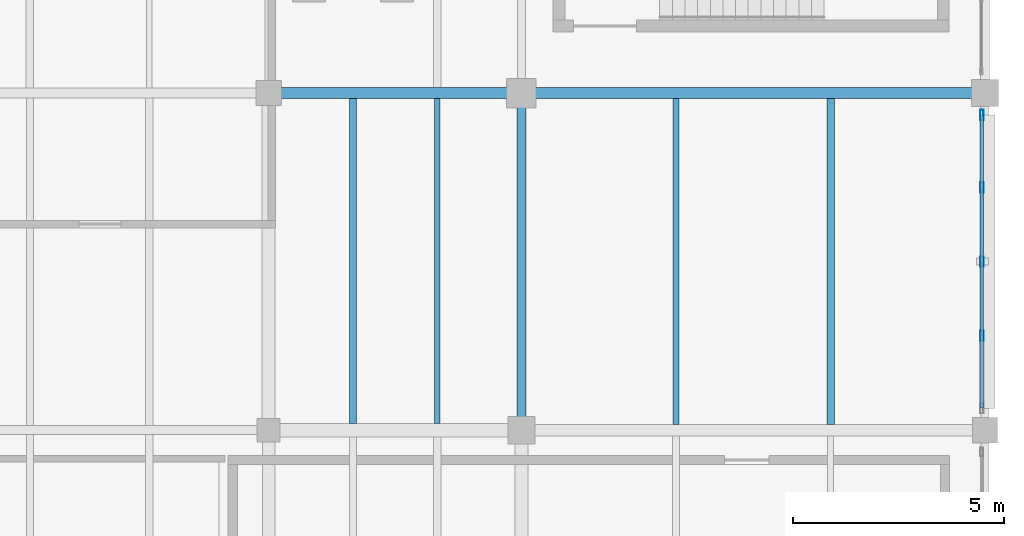
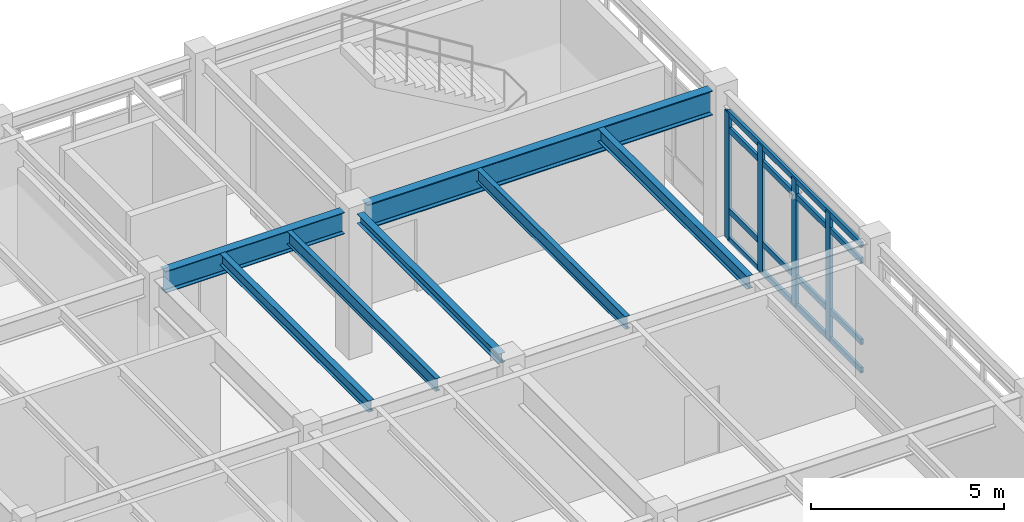
# One storey, part 149 of 200: 8 members, 7 beams, 1 element without a shape of its own.
"""IFC4 building model written with IfcOpenShell, lengths in metres."""

import ifcopenshell
import ifcopenshell.guid

model = None  # the IFC model being written
_history = None  # IfcOwnerHistory: only IFC2X3 demands one
_inside = {}  # id of a spatial element -> (the spatial element, [elements in it])
_under = {}  # id of a project, library or spatial element -> (it, [spatial elements below it])
_declared = {}  # id of a project -> (the project, [libraries it declares])
_typed = {}  # id of a type object -> (the type object, [elements of that type])
_made_of = {}  # id of a material, layer set ... -> (it, [elements and type objects made of it])


def new_model(schema):
    """Start an empty IFC model of exactly this schema.

    Asked for "IFC4X3", IfcOpenShell would pick the latest addendum, in which some entities
    have other attributes; the version numbers below select the first issue.
    IFC2X3 requires an IfcOwnerHistory on every rooted entity: one is made here for all.
    """
    global model, _history
    if schema == "IFC4X3":
        model = ifcopenshell.file(schema_version=(4, 3, 0, 0))
    else:
        model = ifcopenshell.file(schema=schema)
    _inside.clear()
    _under.clear()
    _declared.clear()
    _typed.clear()
    _made_of.clear()
    _history = None
    if model.schema == "IFC2X3":
        org = make("IfcOrganization", Name="unknown")
        user = make(
            "IfcPersonAndOrganization",
            ThePerson=make("IfcPerson", FamilyName="unknown"),
            TheOrganization=org,
        )
        app = make(
            "IfcApplication",
            ApplicationDeveloper=org,
            Version="unknown",
            ApplicationFullName="unknown",
            ApplicationIdentifier="unknown",
        )
        _history = make(
            "IfcOwnerHistory",
            OwningUser=user,
            OwningApplication=app,
            ChangeAction="ADDED",
            CreationDate=0,
        )
    return model


def make(cls, **values):
    """One entity of the class cls with the attributes given. An attribute that is None is left unset."""
    return model.create_entity(
        cls, **{name: value for name, value in values.items() if value is not None}
    )


def rooted(cls, **values):
    """An entity with a GlobalId (a new one), such as an element, a storey or a relation."""
    return make(cls, GlobalId=ifcopenshell.guid.new(), OwnerHistory=_history, **values)


def si_unit(unit_type, name, prefix=None):
    """IfcSIUnit, for example si_unit("LENGTHUNIT", "METRE", prefix="MILLI")."""
    return make("IfcSIUnit", UnitType=unit_type, Prefix=prefix, Name=name)


def assignment(units):
    """IfcUnitAssignment: the units of a project."""
    return None if units is None else make("IfcUnitAssignment", Units=units)


def point(xyz):
    """IfcCartesianPoint."""
    return None if xyz is None else make("IfcCartesianPoint", Coordinates=xyz)


def direction(xyz):
    """IfcDirection."""
    return None if xyz is None else make("IfcDirection", DirectionRatios=xyz)


def frame(location, z_axis=None, x_axis=None):
    """IfcAxis2Placement3D, a coordinate frame: its origin and axes. An axis left out is left unset."""
    return make(
        "IfcAxis2Placement3D",
        Location=point(location),
        Axis=direction(z_axis),
        RefDirection=direction(x_axis),
    )


def frame_2d(location, x_axis=None):
    """IfcAxis2Placement2D, a coordinate frame in the plane: its origin and x axis."""
    return make(
        "IfcAxis2Placement2D", Location=point(location), RefDirection=direction(x_axis)
    )


def origin():
    """The frame at (0, 0, 0) with its axes left unset."""
    return frame((0.0, 0.0, 0.0))


def origin_2d():
    """The frame at (0, 0) in the plane with its x axis left unset."""
    return frame_2d((0.0, 0.0))


def place(relative_to, where):
    """IfcLocalPlacement: puts the frame where relative to a parent placement (None: the world)."""
    return make(
        "IfcLocalPlacement", PlacementRelTo=relative_to, RelativePlacement=where
    )


def context(
    kind, dimensions, precision=None, world=None, true_north=None, identifier=None
):
    """IfcGeometricRepresentationContext, for example the 3D "Model" context."""
    return make(
        "IfcGeometricRepresentationContext",
        ContextIdentifier=identifier,
        ContextType=kind,
        CoordinateSpaceDimension=dimensions,
        Precision=precision,
        WorldCoordinateSystem=world,
        TrueNorth=true_north,
    )


def subcontext(parent, identifier, kind, view, scale=None):
    """IfcGeometricRepresentationSubContext, for example "Body" below "Model"."""
    return make(
        "IfcGeometricRepresentationSubContext",
        ContextIdentifier=identifier,
        ContextType=kind,
        ParentContext=parent,
        TargetScale=scale,
        TargetView=view,
    )


def project(units=None, contexts=None):
    """IfcProject with its units and contexts."""
    return rooted(
        "IfcProject",
        Name="project",
        RepresentationContexts=contexts,
        UnitsInContext=assignment(units),
    )


def spatial(cls, under=None, at=None, **own):
    """A site, building, storey or space (cls), placed at a placement, below another one or the project."""
    s = rooted(cls, ObjectPlacement=at, **own)
    if under is not None:
        _under.setdefault(under.id(), (under, []))[1].append(s)
    return s


def profile(cls, at=None, kind="AREA", **sizes):
    """A parametric profile (cls). Its sizes go by their IFC names, for example OverallWidth=200.0."""
    return make(cls, ProfileType=kind, Position=at, **sizes)


def hollow_rectangle(**sizes):
    """IfcRectangleHollowProfileDef."""
    return profile("IfcRectangleHollowProfileDef", **sizes)


def i_section(**sizes):
    """IfcIShapeProfileDef."""
    return profile("IfcIShapeProfileDef", **sizes)


def extrude(swept, where, along, depth):
    """IfcExtrudedAreaSolid: the profile swept, set in the frame where, extruded along a direction by depth."""
    return make(
        "IfcExtrudedAreaSolid",
        SweptArea=swept,
        Position=where,
        ExtrudedDirection=direction(along),
        Depth=depth,
    )


def shape(context_of_items, identifier, shape_type, items):
    """IfcShapeRepresentation: the items that make up one representation, for example the "Body"."""
    return make(
        "IfcShapeRepresentation",
        ContextOfItems=context_of_items,
        RepresentationIdentifier=identifier,
        RepresentationType=shape_type,
        Items=items,
    )


def material(Name=None, Category=None):
    """IfcMaterial."""
    return make("IfcMaterial", Name=Name, Category=Category)


def material_profile(
    of_material, cross_section, Name=None, Category=None, Priority=None
):
    """IfcMaterialProfile: a cross section and its material."""
    return make(
        "IfcMaterialProfile",
        Name=Name,
        Material=of_material,
        Profile=cross_section,
        Priority=Priority,
        Category=Category,
    )


def profile_set(profiles, Name=None, composite=None):
    """IfcMaterialProfileSet."""
    return make(
        "IfcMaterialProfileSet",
        Name=Name,
        MaterialProfiles=profiles,
        CompositeProfile=composite,
    )


def made_of(thing, what):
    """Note that an element or type object is made of a material, layer set ...; save() writes the relation."""
    if what is not None:
        _made_of.setdefault(what.id(), (what, []))[1].append(thing)
    return thing


def type_object(cls, material=None, **own):
    """A type object (cls), such as IfcWallType, which elements share."""
    return made_of(rooted(cls, **own), material)


def element(
    cls,
    number,
    at=None,
    inside=None,
    cuts=None,
    type_object=None,
    material=None,
    context=None,
    identifier="Body",
    shape_type=None,
    held_by="IfcProductDefinitionShape",
    body=None,
    shapes=None,
    **own,
):
    """One element of the class cls, such as IfcWall. Its Tag is "e" and its number.

    at: its placement. inside: the storey or other place that contains it. cuts: it is an
    opening in that element (IfcRelVoidsElement). A single representation is given by context,
    identifier, shape_type and body (its items); several are given by shapes. held_by: the class
    of the entity that holds the representations. save() writes the other relations.
    """
    e = rooted(cls, Tag="e%d" % number, ObjectPlacement=at, **own)
    if body is not None:
        shapes = [shape(context, identifier, shape_type, body)]
    if shapes is not None:
        e.Representation = make(held_by, Representations=shapes)
    if inside is not None:
        _inside.setdefault(inside.id(), (inside, []))[1].append(e)
    if cuts is not None:
        rooted(
            "IfcRelVoidsElement", RelatingBuildingElement=cuts, RelatedOpeningElement=e
        )
    if type_object is not None:
        _typed.setdefault(type_object.id(), (type_object, []))[1].append(e)
    return made_of(e, material)


def aggregate(whole, parts):
    """IfcRelAggregates: a whole, such as a stair, and the parts it consists of."""
    return rooted("IfcRelAggregates", RelatingObject=whole, RelatedObjects=parts)


def save(model, path):
    """Write the relations noted so far, then the file.

    IfcRelAggregates (storeys below a building ...), IfcRelContainedInSpatialStructure (elements
    in a storey), IfcRelDefinesByType, IfcRelAssociatesMaterial and IfcRelDeclares: one each for
    every whole, place, type object, material and project.
    """
    for whole, parts in _under.values():
        aggregate(whole, parts)
    for where, things in _inside.values():
        rooted(
            "IfcRelContainedInSpatialStructure",
            RelatedElements=things,
            RelatingStructure=where,
        )
    for kind, things in _typed.values():
        rooted("IfcRelDefinesByType", RelatedObjects=things, RelatingType=kind)
    for what, things in _made_of.values():
        rooted("IfcRelAssociatesMaterial", RelatedObjects=things, RelatingMaterial=what)
    for by, libraries in _declared.values():
        rooted("IfcRelDeclares", RelatingContext=by, RelatedDefinitions=libraries)
    model.write(path)


model = new_model("IFC4")

# Units and contexts
model_context = context("Model", 3, precision=1e-05, world=origin(), true_north=direction((0.0, 1.0)))
body_context = subcontext(model_context, "Body", "Model", "MODEL_VIEW")
ifc_project = project(units=[si_unit("LENGTHUNIT", "METRE"), si_unit("AREAUNIT", "SQUARE_METRE"), si_unit("VOLUMEUNIT", "CUBIC_METRE"), si_unit("PLANEANGLEUNIT", "RADIAN"), si_unit("MASSUNIT", "GRAM", prefix="KILO"), si_unit("THERMODYNAMICTEMPERATUREUNIT", "KELVIN"), si_unit("POWERUNIT", "WATT")], contexts=[model_context])

# Site, building, storey
site_placement = place(None, origin())
site = spatial("IfcSite", under=ifc_project, at=site_placement, CompositionType="ELEMENT")
building_placement = place(site_placement, origin())
building = spatial("IfcBuilding", under=site, at=building_placement, Name="Tepalcoro Natatorium and Aquatics Centre", CompositionType="ELEMENT")
storey_placement = place(building_placement, frame((0.0, 0.0, 5.39990234375)))
storey = spatial("IfcBuildingStorey", under=building, at=storey_placement, Name="L01", CompositionType="ELEMENT", Elevation=5.39990234375)

# Beams
ifc_material_1 = material(Name="Steel ASTM A992 Grade 50 (Fy 345 MPa)", Category="steel")
ifc_material_profile_1 = material_profile(ifc_material_1, i_section(OverallWidth=0.202880859375, OverallDepth=0.304931640625, WebThickness=0.007080078125, FlangeThickness=0.012939453125, FilletRadius=0.013916015625, at=origin_2d()), Name="W12X40")
ifc_profile_set_1 = profile_set([ifc_material_profile_1], Name="Steel ASTM A992 Grade 50 (Fy 345 MPa)")
beam_type_1 = type_object("IfcBeamType", Name="BM_W12x40", PredefinedType="BEAM", material=ifc_profile_set_1)
beam_1_placement = place(storey_placement, frame((165.0, 102.31005859375, 4.392578125), z_axis=(0.0, 1.0, 0.0), x_axis=(-1.0, 0.0, 0.0)))
element("IfcBeam", 1, at=beam_1_placement, inside=storey, type_object=beam_type_1, Name="V5 L01 Grid Girder Y", PredefinedType="BEAM", context=body_context, shape_type="SweptSolid", body=[
    extrude(i_section(OverallWidth=0.202880859375, OverallDepth=0.304931640625, WebThickness=0.007080078125, FlangeThickness=0.012939453125, FilletRadius=0.013916015625, at=origin_2d()), origin(), (0.0, 0.0, 1.0), 7.35498046875),
])
ifc_material_profile_2 = material_profile(ifc_material_1, i_section(OverallWidth=0.25390625, OverallDepth=0.68798828125, WebThickness=0.012939453125, FlangeThickness=0.02099609375, FilletRadius=0.013916015625, at=origin_2d()), Name="W27X102")
ifc_profile_set_2 = profile_set([ifc_material_profile_2], Name="Steel ASTM A992 Grade 50 (Fy 345 MPa)")
beam_type_2 = type_object("IfcBeamType", Name="BM_W27x102", PredefinedType="BEAM", material=ifc_profile_set_2)
beam_2_placement = place(storey_placement, frame((159.284912109375, 110.0, 4.201171875), z_axis=(1.0, 0.0, 0.0), x_axis=(0.0, 1.0, 0.0)))
element("IfcBeam", 2, at=beam_2_placement, inside=storey, type_object=beam_type_2, Name="V5 L01 Grid Girder X", PredefinedType="BEAM", context=body_context, shape_type="SweptSolid", body=[
    extrude(i_section(OverallWidth=0.25390625, OverallDepth=0.68798828125, WebThickness=0.012939453125, FlangeThickness=0.02099609375, FilletRadius=0.013916015625, at=origin_2d()), origin(), (0.0, 0.0, 1.0), 5.380126953125),
])
ifc_material_profile_3 = material_profile(ifc_material_1, i_section(OverallWidth=0.26708984375, OverallDepth=0.780029296875, WebThickness=0.01708984375, FlangeThickness=0.030029296875, FilletRadius=0.013916015625, at=origin_2d()), Name="W30X148")
ifc_profile_set_3 = profile_set([ifc_material_profile_3], Name="Steel ASTM A992 Grade 50 (Fy 345 MPa)")
beam_type_3 = type_object("IfcBeamType", Name="BM_W30x148", PredefinedType="BEAM", material=ifc_profile_set_3)
beam_3_placement = place(storey_placement, frame((165.3349609375, 110.0, 4.155029296875), z_axis=(1.0, 0.0, 0.0), x_axis=(0.0, 1.0, 0.0)))
element("IfcBeam", 3, at=beam_3_placement, inside=storey, type_object=beam_type_3, Name="V5 L01 Grid Girder X", PredefinedType="BEAM", context=body_context, shape_type="SweptSolid", body=[
    extrude(i_section(OverallWidth=0.26708984375, OverallDepth=0.780029296875, WebThickness=0.01708984375, FlangeThickness=0.030029296875, FilletRadius=0.013916015625, at=origin_2d()), origin(), (0.0, 0.0, 1.0), 10.35498046875),
])

# Curtain wall, members
ifc_material_2 = material(Name="Bronze-Anodised Extruded Aluminium Alloy EN AW-6063 T6", Category="aluminium")
curtain_wall_type = type_object("IfcCurtainWallType", Name="CW_LEAN_T2_EW", PredefinedType="USERDEFINED", material=ifc_material_2)
curtain_wall_placement = place(storey_placement, origin())
curtain_wall = element("IfcCurtainWall", 4, at=curtain_wall_placement, inside=storey, type_object=curtain_wall_type, Name="V5 L01 E Unitised Curtain Wall Bay 3", ObjectType="FACETED SOLAR GLAZING", PredefinedType="USERDEFINED")
ifc_material_profile_4 = material_profile(ifc_material_2, hollow_rectangle(XDim=0.080078125, YDim=0.239990234375, WallThickness=0.0048828125, at=origin_2d()), Name="AL80X240X5")
ifc_profile_set_4 = profile_set([ifc_material_profile_4], Name="Bronze-Anodised Extruded Aluminium Alloy EN AW-6063 T6")
member_type_1 = type_object("IfcMemberType", Name="CW_MUL_80x240", PredefinedType="MULLION", material=ifc_profile_set_4)
member_1_placement = place(storey_placement, frame((175.923828125, 104.239990234375, 0.02001953125), z_axis=(0.0, 0.0, 1.0), x_axis=(1.0, 0.0, 0.0)))
member_1 = element("IfcMember", 5, at=member_1_placement, type_object=member_type_1, Name="CW_LEAN_T2_EW Curtain Wall Mullion", PredefinedType="MULLION", context=body_context, shape_type="SweptSolid", body=[
    extrude(hollow_rectangle(XDim=0.080078125, YDim=0.239990234375, WallThickness=0.0048828125, at=origin_2d()), origin(), (0.0, 0.0, 1.0), 4.030029296875),
])
member_2_placement = place(storey_placement, frame((175.923828125, 106.0, 0.02001953125), z_axis=(0.0, 0.0, 1.0), x_axis=(1.0, 0.0, 0.0)))
member_2 = element("IfcMember", 6, at=member_2_placement, type_object=member_type_1, Name="CW_LEAN_T2_EW Curtain Wall Mullion", PredefinedType="MULLION", context=body_context, shape_type="SweptSolid", body=[
    extrude(hollow_rectangle(XDim=0.080078125, YDim=0.239990234375, WallThickness=0.0048828125, at=origin_2d()), origin(), (0.0, 0.0, 1.0), 4.030029296875),
])
member_3_placement = place(storey_placement, frame((175.923828125, 107.760009765625, 0.02001953125), z_axis=(0.0, 0.0, 1.0), x_axis=(1.0, 0.0, 0.0)))
member_3 = element("IfcMember", 7, at=member_3_placement, type_object=member_type_1, Name="CW_LEAN_T2_EW Curtain Wall Mullion", PredefinedType="MULLION", context=body_context, shape_type="SweptSolid", body=[
    extrude(hollow_rectangle(XDim=0.080078125, YDim=0.239990234375, WallThickness=0.0048828125, at=origin_2d()), origin(), (0.0, 0.0, 1.0), 4.030029296875),
])
member_4_placement = place(storey_placement, frame((175.923828125, 109.47998046875, 0.02001953125), z_axis=(0.0, 0.0, 1.0), x_axis=(1.0, 0.0, 0.0)))
member_4 = element("IfcMember", 8, at=member_4_placement, type_object=member_type_1, Name="CW_LEAN_T2_EW Curtain Wall Mullion", PredefinedType="MULLION", context=body_context, shape_type="SweptSolid", body=[
    extrude(hollow_rectangle(XDim=0.080078125, YDim=0.239990234375, WallThickness=0.0048828125, at=origin_2d()), origin(), (0.0, 0.0, 1.0), 4.030029296875),
])
ifc_material_profile_5 = material_profile(ifc_material_2, hollow_rectangle(XDim=0.080078125, YDim=0.179931640625, WallThickness=0.0048828125, at=origin_2d()), Name="AL80X180X5")
ifc_profile_set_5 = profile_set([ifc_material_profile_5], Name="Bronze-Anodised Extruded Aluminium Alloy EN AW-6063 T6")
member_type_2 = type_object("IfcMemberType", Name="CW_TRN_80x180", PredefinedType="USERDEFINED", material=ifc_profile_set_5)
member_5_placement = place(storey_placement, frame((175.923828125, 102.530029296875, 0.050048828125), z_axis=(0.0, 1.0, 0.0), x_axis=(-1.0, 0.0, 0.0)))
member_5 = element("IfcMember", 9, at=member_5_placement, type_object=member_type_2, Name="CW_LEAN_T2_EW Curtain Wall Transom", ObjectType="TRANSOM", PredefinedType="USERDEFINED", context=body_context, shape_type="SweptSolid", body=[
    extrude(hollow_rectangle(XDim=0.080078125, YDim=0.179931640625, WallThickness=0.0048828125, at=origin_2d()), origin(), (0.0, 0.0, 1.0), 6.93994140625),
])
member_6_placement = place(storey_placement, frame((175.923828125, 102.530029296875, 0.9501953125), z_axis=(0.0, 1.0, 0.0), x_axis=(-1.0, 0.0, 0.0)))
member_6 = element("IfcMember", 10, at=member_6_placement, type_object=member_type_2, Name="CW_LEAN_T2_EW Curtain Wall Transom", ObjectType="TRANSOM", PredefinedType="USERDEFINED", context=body_context, shape_type="SweptSolid", body=[
    extrude(hollow_rectangle(XDim=0.080078125, YDim=0.179931640625, WallThickness=0.0048828125, at=origin_2d()), origin(), (0.0, 0.0, 1.0), 6.93994140625),
])
member_7_placement = place(storey_placement, frame((175.923828125, 102.530029296875, 3.52001953125), z_axis=(0.0, 1.0, 0.0), x_axis=(-1.0, 0.0, 0.0)))
member_7 = element("IfcMember", 11, at=member_7_placement, type_object=member_type_2, Name="CW_LEAN_T2_EW Curtain Wall Transom", ObjectType="TRANSOM", PredefinedType="USERDEFINED", context=body_context, shape_type="SweptSolid", body=[
    extrude(hollow_rectangle(XDim=0.080078125, YDim=0.179931640625, WallThickness=0.0048828125, at=origin_2d()), origin(), (0.0, 0.0, 1.0), 6.93994140625),
])
member_8_placement = place(storey_placement, frame((175.923828125, 102.530029296875, 4.02001953125), z_axis=(0.0, 1.0, 0.0), x_axis=(-1.0, 0.0, 0.0)))
member_8 = element("IfcMember", 12, at=member_8_placement, type_object=member_type_2, Name="CW_LEAN_T2_EW Curtain Wall Transom", ObjectType="TRANSOM", PredefinedType="USERDEFINED", context=body_context, shape_type="SweptSolid", body=[
    extrude(hollow_rectangle(XDim=0.080078125, YDim=0.179931640625, WallThickness=0.0048828125, at=origin_2d()), origin(), (0.0, 0.0, 1.0), 6.93994140625),
])
aggregate(curtain_wall, [member_1, member_2, member_3, member_4, member_5, member_6, member_7, member_8])

# Beams
ifc_material_profile_6 = material_profile(ifc_material_1, i_section(OverallWidth=0.172119140625, OverallDepth=0.35791015625, WebThickness=0.008056640625, FlangeThickness=0.012939453125, FilletRadius=0.013916015625, at=origin_2d()), Name="W14X38")
ifc_profile_set_6 = profile_set([ifc_material_profile_6], Name="Steel ASTM A992 Grade 50 (Fy 345 MPa)")
beam_type_4 = type_object("IfcBeamType", Name="JS_W14x38", PredefinedType="JOIST", material=ifc_profile_set_6)
beam_4_placement = place(storey_placement, frame((161.0, 102.16259765625, 4.3662109375), z_axis=(0.0, 1.0, 0.0), x_axis=(-1.0, 0.0, 0.0)))
element("IfcBeam", 13, at=beam_4_placement, inside=storey, type_object=beam_type_4, Name="V5 L01 Floor Joist", PredefinedType="JOIST", context=body_context, shape_type="SweptSolid", body=[
    extrude(i_section(OverallWidth=0.172119140625, OverallDepth=0.35791015625, WebThickness=0.008056640625, FlangeThickness=0.012939453125, FilletRadius=0.013916015625, at=origin_2d()), origin(), (0.0, 0.0, 1.0), 7.71044921875),
])
ifc_material_profile_7 = material_profile(ifc_material_1, i_section(OverallWidth=0.139892578125, OverallDepth=0.404052734375, WebThickness=0.007080078125, FlangeThickness=0.010986328125, FilletRadius=0.013916015625, at=origin_2d()), Name="W16X31")
ifc_profile_set_7 = profile_set([ifc_material_profile_7], Name="Steel ASTM A992 Grade 50 (Fy 345 MPa)")
beam_type_5 = type_object("IfcBeamType", Name="JS_W16x31", PredefinedType="JOIST", material=ifc_profile_set_7)
beam_5_placement = place(storey_placement, frame((163.0, 102.16259765625, 4.343017578125), z_axis=(0.0, 1.0, 0.0), x_axis=(-1.0, 0.0, 0.0)))
element("IfcBeam", 14, at=beam_5_placement, inside=storey, type_object=beam_type_5, Name="V5 L01 Floor Joist", PredefinedType="JOIST", context=body_context, shape_type="SweptSolid", body=[
    extrude(i_section(OverallWidth=0.139892578125, OverallDepth=0.404052734375, WebThickness=0.007080078125, FlangeThickness=0.010986328125, FilletRadius=0.013916015625, at=origin_2d()), origin(), (0.0, 0.0, 1.0), 7.71044921875),
])
beam_6_placement = place(storey_placement, frame((168.666748046875, 102.133544921875, 4.343017578125), z_axis=(0.0, 1.0, 0.0), x_axis=(-1.0, 0.0, 0.0)))
element("IfcBeam", 15, at=beam_6_placement, inside=storey, type_object=beam_type_5, Name="V5 L01 Floor Joist", PredefinedType="JOIST", context=body_context, shape_type="SweptSolid", body=[
    extrude(i_section(OverallWidth=0.139892578125, OverallDepth=0.404052734375, WebThickness=0.007080078125, FlangeThickness=0.010986328125, FilletRadius=0.013916015625, at=origin_2d()), origin(), (0.0, 0.0, 1.0), 7.73291015625),
])
ifc_material_profile_8 = material_profile(ifc_material_1, i_section(OverallWidth=0.178955078125, OverallDepth=0.409912109375, WebThickness=0.009033203125, FlangeThickness=0.013916015625, FilletRadius=0.013916015625, at=origin_2d()), Name="W16X45")
ifc_profile_set_8 = profile_set([ifc_material_profile_8], Name="Steel ASTM A992 Grade 50 (Fy 345 MPa)")
beam_type_6 = type_object("IfcBeamType", Name="JS_W16x45", PredefinedType="JOIST", material=ifc_profile_set_8)
beam_7_placement = place(storey_placement, frame((172.333251953125, 102.133544921875, 4.340087890625), z_axis=(0.0, 1.0, 0.0), x_axis=(-1.0, 0.0, 0.0)))
element("IfcBeam", 16, at=beam_7_placement, inside=storey, type_object=beam_type_6, Name="V5 L01 Floor Joist", PredefinedType="JOIST", context=body_context, shape_type="SweptSolid", body=[
    extrude(i_section(OverallWidth=0.178955078125, OverallDepth=0.409912109375, WebThickness=0.009033203125, FlangeThickness=0.013916015625, FilletRadius=0.013916015625, at=origin_2d()), origin(), (0.0, 0.0, 1.0), 7.73291015625),
])

save(model, "model.ifc")
